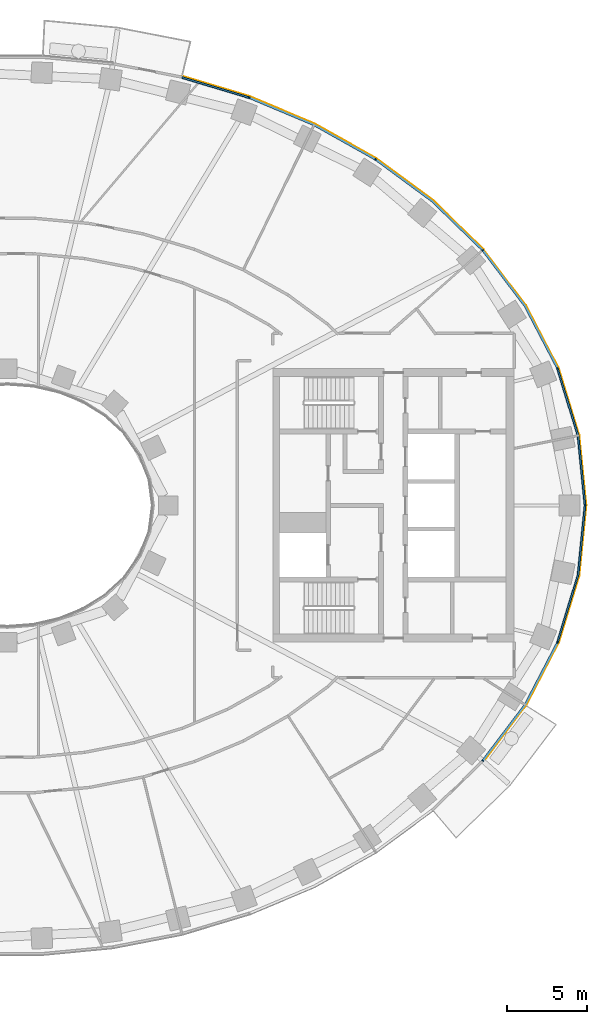
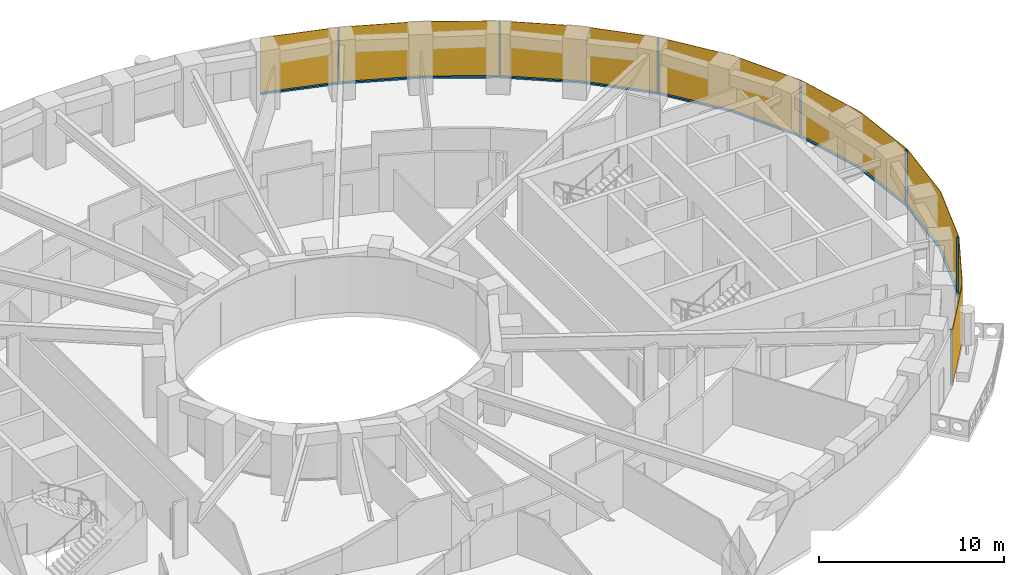
# One storey, part 14 of 17: 14 members, 1 curtain wall.
"""IFC4 building model written with IfcOpenShell, lengths in metres."""

from ifc_helpers import new_model, si_unit, direction, frame, origin, origin_2d, place, context, subcontext, project, spatial, polyline, rectangle, outline, extrude, material, layer, layer_set, material_profile, profile_set, type_object, element, aggregate, save


model = new_model("IFC4")

# Units and contexts
model_context = context("Model", 3, precision=1e-05, world=origin(), true_north=direction((0.0, 1.0)))
body_context = subcontext(model_context, "Body", "Model", "MODEL_VIEW")
ifc_project = project(units=[si_unit("LENGTHUNIT", "METRE"), si_unit("AREAUNIT", "SQUARE_METRE"), si_unit("VOLUMEUNIT", "CUBIC_METRE"), si_unit("PLANEANGLEUNIT", "RADIAN"), si_unit("MASSUNIT", "GRAM", prefix="KILO")], contexts=[model_context])

# Member
ifc_material_1 = material(Name="Aluminium 6063-T6 black anodised", Category="aluminium")
ifc_material_profile = material_profile(ifc_material_1, rectangle(XDim=0.1201171875, YDim=0.06005859375, at=origin_2d()), Name="120x60")
ifc_profile_set = profile_set([ifc_material_profile], Name="Aluminium 6063-T6 black anodised")
member_type_1 = type_object("IfcMemberType", Name="ENV-MULLION-A-120", PredefinedType="MULLION", material=ifc_profile_set)
site_placement = place(None, origin())
building_placement = place(site_placement, origin())
storey_placement = place(building_placement, frame((0.0, 0.0, 112.0)))
member_1_placement = place(storey_placement, frame((29.53857421875, -15.8671875, 0.0), z_axis=(0.0, 0.0, 1.0), x_axis=(-0.749047221705, 0.662516610853, 0.0)))
member_1 = element("IfcMember", 1, at=member_1_placement, type_object=member_type_1, Name="Mullion A radial 43", PredefinedType="MULLION", context=body_context, shape_type="SweptSolid", body=[
    extrude(rectangle(XDim=0.1201171875, YDim=0.06005859375, at=origin_2d()), origin(), (0.0, 0.0, 1.0), 3.699951171875),
])

member_2_placement = place(storey_placement, frame((34.19580078125, -8.513916015625, 0.0), z_axis=(0.0, 0.0, 1.0), x_axis=(-0.92546738067, 0.378827305398, 0.0)))
member_2 = element("IfcMember", 2, at=member_2_placement, type_object=member_type_1, Name="Mullion A radial 45", PredefinedType="MULLION", context=body_context, shape_type="SweptSolid", body=[
    extrude(rectangle(XDim=0.1201171875, YDim=0.06005859375, at=origin_2d()), origin(), (0.0, 0.0, 1.0), 3.699951171875),
])

member_3_placement = place(storey_placement, frame((35.907958984375, 0.0, 0.0), z_axis=(0.0, 0.0, 1.0), x_axis=(-1.0, 0.0, 0.0)))
member_3 = element("IfcMember", 3, at=member_3_placement, type_object=member_type_1, Name="Mullion A radial 01", PredefinedType="MULLION", context=body_context, shape_type="SweptSolid", body=[
    extrude(rectangle(XDim=0.1201171875, YDim=0.06005859375, at=origin_2d()), origin(), (0.0, 0.0, 1.0), 3.699951171875),
])

member_4_placement = place(storey_placement, frame((34.19580078125, 8.513916015625, 0.0), z_axis=(0.0, 0.0, 1.0), x_axis=(-0.92546738067, -0.378827305398, 0.0)))
member_4 = element("IfcMember", 4, at=member_4_placement, type_object=member_type_1, Name="Mullion A radial 03", PredefinedType="MULLION", context=body_context, shape_type="SweptSolid", body=[
    extrude(rectangle(XDim=0.1201171875, YDim=0.06005859375, at=origin_2d()), origin(), (0.0, 0.0, 1.0), 3.699951171875),
])

member_5_placement = place(storey_placement, frame((29.53857421875, 15.8671875, 0.0), z_axis=(0.0, 0.0, 1.0), x_axis=(-0.749047221705, -0.662516610853, 0.0)))
member_5 = element("IfcMember", 5, at=member_5_placement, type_object=member_type_1, Name="Mullion A radial 05", PredefinedType="MULLION", context=body_context, shape_type="SweptSolid", body=[
    extrude(rectangle(XDim=0.1201171875, YDim=0.06005859375, at=origin_2d()), origin(), (0.0, 0.0, 1.0), 3.699951171875),
])

member_6_placement = place(storey_placement, frame((22.882568359375, 21.506591796875, 0.0), z_axis=(0.0, 0.0, 1.0), x_axis=(-0.542279153225, -0.840198381323, 0.0)))
member_6 = element("IfcMember", 6, at=member_6_placement, type_object=member_type_1, Name="Mullion A radial 07", PredefinedType="MULLION", context=body_context, shape_type="SweptSolid", body=[
    extrude(rectangle(XDim=0.1201171875, YDim=0.06005859375, at=origin_2d()), origin(), (0.0, 0.0, 1.0), 3.699951171875),
])

member_7_placement = place(storey_placement, frame((15.0341796875, 25.34375, 0.0), z_axis=(0.0, 0.0, 1.0), x_axis=(-0.338379256581, -0.941009818608, 0.0)))
member_7 = element("IfcMember", 7, at=member_7_placement, type_object=member_type_1, Name="Mullion A radial 09", PredefinedType="MULLION", context=body_context, shape_type="SweptSolid", body=[
    extrude(rectangle(XDim=0.1201171875, YDim=0.06005859375, at=origin_2d()), origin(), (0.0, 0.0, 1.0), 3.699951171875),
])

ifc_material_2 = material(Name="Aluminium 6063-T6 black anodised", Category="aluminium")
member_type_2 = type_object("IfcMemberType", Name="ENV-TRANSOM-A", PredefinedType="USERDEFINED", material=ifc_material_2)
member_8_placement = place(storey_placement, origin())
member_8 = element("IfcMember", 8, at=member_8_placement, type_object=member_type_2, Name="Transom A radial 43-45", ObjectType="TRANSOM", PredefinedType="USERDEFINED", context=body_context, shape_type="SweptSolid", body=[
    extrude(outline(polyline([(29.6005859375, -15.884521484375), (32.22802734375, -12.41748046875), (34.23828125, -8.5615234375), (34.126708984375, -8.515869140625), (32.126220703125, -12.35302734375), (29.51025390625, -15.8046875), (29.6005859375, -15.884521484375)])), origin(), (0.0, 0.0, 1.0), 0.10009765625),
])

member_9_placement = place(storey_placement, origin())
member_9 = element("IfcMember", 9, at=member_9_placement, type_object=member_type_2, Name="Transom A radial 45-01", ObjectType="TRANSOM", PredefinedType="USERDEFINED", context=body_context, shape_type="SweptSolid", body=[
    extrude(outline(polyline([(34.259521484375, -8.509765625), (35.529541015625, -4.352294921875), (35.965087890625, -0.02783203125), (35.844482421875, -0.02783203125), (35.411376953125, -4.32861328125), (34.14794921875, -8.464111328125), (34.259521484375, -8.509765625)])), origin(), (0.0, 0.0, 1.0), 0.10009765625),
])

member_10_placement = place(storey_placement, origin())
member_10 = element("IfcMember", 10, at=member_10_placement, type_object=member_type_2, Name="Transom A radial 01-03", ObjectType="TRANSOM", PredefinedType="USERDEFINED", context=body_context, shape_type="SweptSolid", body=[
    extrude(outline(polyline([(35.965087890625, 0.02783203125), (35.529541015625, 4.352294921875), (34.259521484375, 8.509765625), (34.14794921875, 8.464111328125), (35.411376953125, 4.32861328125), (35.844482421875, 0.02783203125), (35.965087890625, 0.02783203125)])), origin(), (0.0, 0.0, 1.0), 0.10009765625),
])

member_11_placement = place(storey_placement, origin())
member_11 = element("IfcMember", 11, at=member_11_placement, type_object=member_type_2, Name="Transom A radial 03-05", ObjectType="TRANSOM", PredefinedType="USERDEFINED", context=body_context, shape_type="SweptSolid", body=[
    extrude(outline(polyline([(34.23828125, 8.5615234375), (32.22802734375, 12.41748046875), (29.6005859375, 15.884521484375), (29.51025390625, 15.8046875), (32.126220703125, 12.35302734375), (34.126708984375, 8.515869140625), (34.23828125, 8.5615234375)])), origin(), (0.0, 0.0, 1.0), 0.10009765625),
])

member_12_placement = place(storey_placement, origin())
member_12 = element("IfcMember", 12, at=member_12_placement, type_object=member_type_2, Name="Transom A radial 05-07", ObjectType="TRANSOM", PredefinedType="USERDEFINED", context=body_context, shape_type="SweptSolid", body=[
    extrude(outline(polyline([(29.5634765625, 15.926513671875), (26.4423828125, 18.958740234375), (22.937744140625, 21.540283203125), (22.87255859375, 21.439208984375), (26.364501953125, 18.866943359375), (29.473388671875, 15.8466796875), (29.5634765625, 15.926513671875)])), origin(), (0.0, 0.0, 1.0), 0.10009765625),
])

member_13_placement = place(storey_placement, origin())
member_13 = element("IfcMember", 13, at=member_13_placement, type_object=member_type_2, Name="Transom A radial 07-09", ObjectType="TRANSOM", PredefinedType="USERDEFINED", context=body_context, shape_type="SweptSolid", body=[
    extrude(outline(polyline([(22.890625, 21.570556640625), (19.093994140625, 23.701416015625), (15.080322265625, 25.389404296875), (15.03955078125, 25.276123046875), (19.041259765625, 23.593505859375), (22.825439453125, 21.469482421875), (22.890625, 21.570556640625)])), origin(), (0.0, 0.0, 1.0), 0.10009765625),
])

member_14_placement = place(storey_placement, origin())
member_14 = element("IfcMember", 14, at=member_14_placement, type_object=member_type_2, Name="Transom A radial 09-10", ObjectType="TRANSOM", PredefinedType="USERDEFINED", context=body_context, shape_type="SweptSolid", body=[
    extrude(outline(polyline([(15.027587890625, 25.408203125), (10.876708984375, 26.657470703125), (10.847900390625, 26.540771484375), (14.987060546875, 25.295166015625), (15.027587890625, 25.408203125)])), origin(), (0.0, 0.0, 1.0), 0.10009765625),
])

# Site, building, storey
site = spatial("IfcSite", under=ifc_project, at=site_placement, CompositionType="ELEMENT")
building = spatial("IfcBuilding", under=site, at=building_placement, Name="Noorbagh Ring Tower", CompositionType="ELEMENT")
storey = spatial("IfcBuildingStorey", under=building, at=storey_placement, Name="L25", CompositionType="ELEMENT", Elevation=112.0)

# Curtain wall
ifc_material_3 = material(Name="Glass dark tinted laminated", Category="glass")
ifc_layer = layer(ifc_material_3, 0.031982421875)
ifc_layer_set = layer_set([ifc_layer], Name="Glass dark tinted laminated")
curtain_wall_type = type_object("IfcCurtainWallType", Name="ENV-CW-A", PredefinedType="NOTDEFINED", material=ifc_layer_set)
curtain_wall_placement = place(storey_placement, origin())
curtain_wall = element("IfcCurtainWall", 15, at=curtain_wall_placement, inside=storey, type_object=curtain_wall_type, Name="Curtain wall A R43", PredefinedType="NOTDEFINED", context=body_context, shape_type="SweptSolid", body=[
    extrude(outline(polyline([(29.61962890625, -15.912109375), (32.255126953125, -12.434814453125), (34.281005859375, -8.548828125), (35.561279296875, -4.358642578125), (36.0, 0.0), (35.561279296875, 4.358642578125), (34.281005859375, 8.548828125), (32.255126953125, 12.434814453125), (29.607666015625, 15.927978515625), (26.463134765625, 18.9833984375), (22.9326171875, 21.583740234375), (19.108154296875, 23.730224609375), (15.065185546875, 25.430419921875), (10.884521484375, 26.6884765625), (10.876708984375, 26.657470703125), (15.054443359375, 25.400146484375), (19.093994140625, 23.701416015625), (22.9150390625, 21.556884765625), (26.4423828125, 18.958740234375), (29.58349609375, 15.906982421875), (32.22802734375, 12.41748046875), (34.251220703125, 8.53662109375), (35.529541015625, 4.352294921875), (35.9677734375, 0.0), (35.529541015625, -4.352294921875), (34.251220703125, -8.53662109375), (32.22802734375, -12.41748046875), (29.595703125, -15.890869140625), (29.61962890625, -15.912109375)])), origin(), (0.0, 0.0, 1.0), 3.699951171875),
])

aggregate(curtain_wall, [member_1, member_2, member_3, member_4, member_5, member_6, member_7, member_8, member_9, member_10, member_11, member_12, member_13, member_14])

save(model, "model.ifc")
